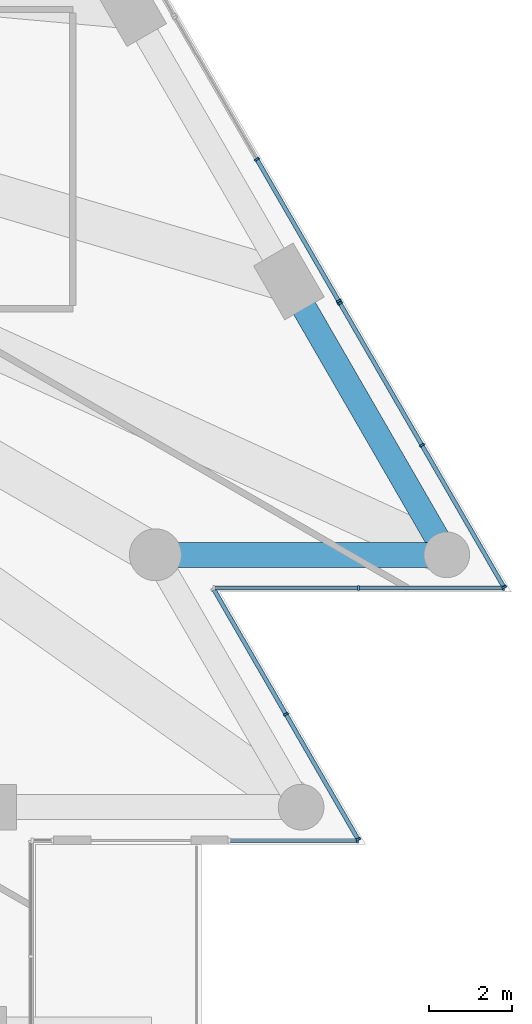
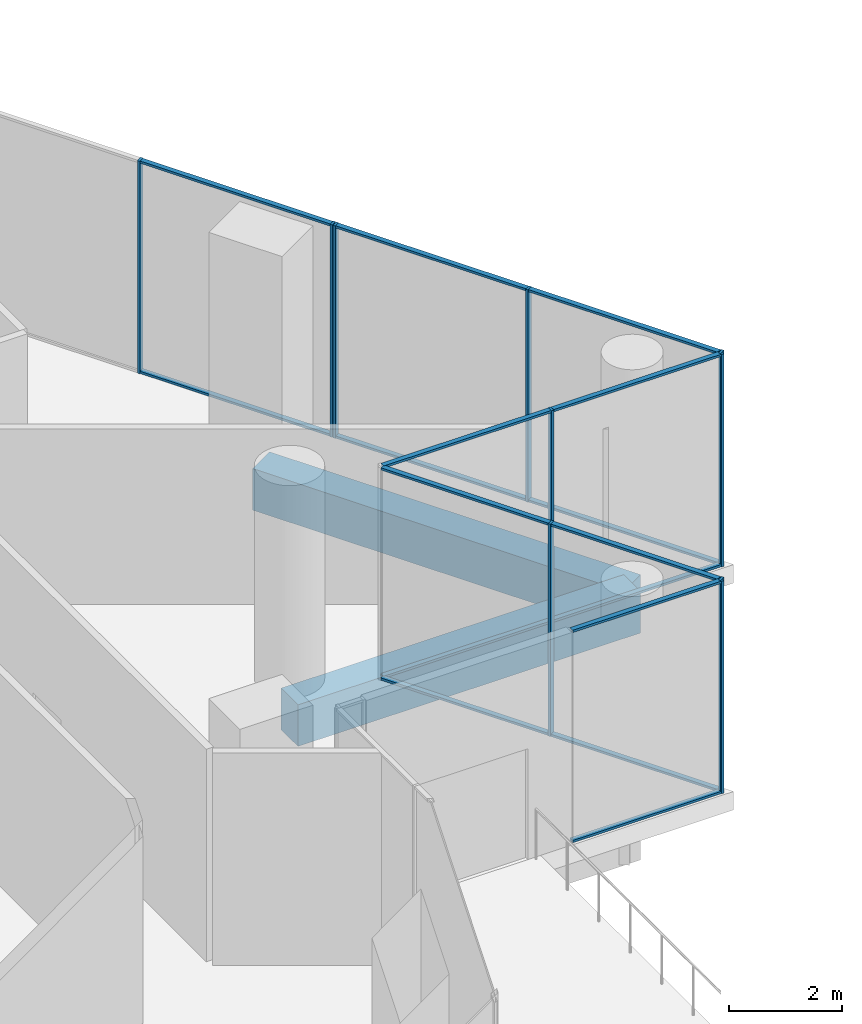
# One storey, part 18 of 32: 26 members, 2 beams, 5 elements without a shape of their own.
"""IFC4 building model written with IfcOpenShell, lengths in metres."""

from ifc_helpers import new_model, si_unit, direction, frame, origin, origin_2d, place, context, subcontext, project, spatial, rectangle, extrude, material, layer, layer_set, material_profile, profile_set, type_object, element, aggregate, save


model = new_model("IFC4")

# Units and contexts
model_context = context("Model", 3, precision=1e-05, world=origin(), true_north=direction((0.0, 1.0)))
body_context = subcontext(model_context, "Body", "Model", "MODEL_VIEW")
ifc_project = project(units=[si_unit("LENGTHUNIT", "METRE"), si_unit("AREAUNIT", "SQUARE_METRE"), si_unit("VOLUMEUNIT", "CUBIC_METRE"), si_unit("PLANEANGLEUNIT", "RADIAN"), si_unit("MASSUNIT", "GRAM", prefix="KILO")], contexts=[model_context])

# Site, building, storey
site_placement = place(None, origin())
site = spatial("IfcSite", under=ifc_project, at=site_placement, CompositionType="ELEMENT")
building_placement = place(site_placement, origin())
building = spatial("IfcBuilding", under=site, at=building_placement, Name="Triada Interchange Tower", CompositionType="ELEMENT")
storey_placement = place(building_placement, frame((0.0, 0.0, 25.300048828125)))
storey = spatial("IfcBuildingStorey", under=building, at=storey_placement, Name="L04", CompositionType="ELEMENT", Elevation=25.300048828125)

# Curtain wall, member
ifc_material_1 = material(Name="Aluminium framed glazing", Category="aluminium")
ifc_layer = layer(ifc_material_1, 0.199951171875)
ifc_layer_set = layer_set([ifc_layer], Name="Curtain wall Winter garden glazing")
curtain_wall_type = type_object("IfcCurtainWallType", Name="Curtain wall Winter garden glazing", PredefinedType="NOTDEFINED", material=ifc_layer_set)
curtain_wall_1_placement = place(storey_placement, origin())
curtain_wall_1 = element("IfcCurtainWall", 1, at=curtain_wall_1_placement, inside=storey, type_object=curtain_wall_type, Name="Winter garden glazing CW009 L04", PredefinedType="NOTDEFINED")
ifc_material_2 = material(Name="Aluminium", Category="aluminium")
ifc_material_profile_1 = material_profile(ifc_material_2, rectangle(XDim=0.1201171875, YDim=0.050048828125, at=origin_2d()), Name="Aluminium mullion")
ifc_profile_set_1 = profile_set([ifc_material_profile_1], Name="Aluminium")
member_type_1 = type_object("IfcMemberType", Name="Mullion Winter garden glazing 120x50", PredefinedType="MULLION", material=ifc_profile_set_1)
member_1_placement = place(storey_placement, frame((31.758056640625, -22.39990234375, 0.0), z_axis=(0.0, 0.0, 1.0), x_axis=(0.0, 1.0, 0.0)))
member_1 = element("IfcMember", 2, at=member_1_placement, type_object=member_type_1, Name="CW009 mullion 2", PredefinedType="MULLION", context=body_context, shape_type="SweptSolid", body=[
    extrude(rectangle(XDim=0.1201171875, YDim=0.050048828125, at=origin_2d()), origin(), (0.0, 0.0, 1.0), 4.599853515625),
])

# Curtain wall, members
curtain_wall_2_placement = place(storey_placement, origin())
curtain_wall_2 = element("IfcCurtainWall", 3, at=curtain_wall_2_placement, inside=storey, type_object=curtain_wall_type, Name="Winter garden glazing CW010 L04", PredefinedType="NOTDEFINED")
member_2_placement = place(storey_placement, frame((31.7705078125, -22.37841796875, 0.0), z_axis=(0.0, 0.0, 1.0), x_axis=(-0.866050272896, -0.499956922962, 0.0)))
member_2 = element("IfcMember", 4, at=member_2_placement, type_object=member_type_1, Name="CW010 mullion 1", PredefinedType="MULLION", context=body_context, shape_type="SweptSolid", body=[
    extrude(rectangle(XDim=0.1201171875, YDim=0.050048828125, at=origin_2d()), origin(), (0.0, 0.0, 1.0), 4.599853515625),
])
member_3_placement = place(storey_placement, frame((30.029541015625, -19.362548828125, 0.0), z_axis=(0.0, 0.0, 1.0), x_axis=(-0.866050272896, -0.499956922962, 0.0)))
member_3 = element("IfcMember", 5, at=member_3_placement, type_object=member_type_1, Name="CW010 mullion 2", PredefinedType="MULLION", context=body_context, shape_type="SweptSolid", body=[
    extrude(rectangle(XDim=0.1201171875, YDim=0.050048828125, at=origin_2d()), origin(), (0.0, 0.0, 1.0), 4.599853515625),
])

curtain_wall_3_placement = place(storey_placement, origin())
curtain_wall_3 = element("IfcCurtainWall", 6, at=curtain_wall_3_placement, inside=storey, type_object=curtain_wall_type, Name="Winter garden glazing CW011 L04", PredefinedType="NOTDEFINED")
member_4_placement = place(storey_placement, frame((31.783447265625, -16.324951171875, 0.0), z_axis=(0.0, 0.0, 1.0), x_axis=(0.0, 1.0, 0.0)))
member_4 = element("IfcMember", 7, at=member_4_placement, type_object=member_type_1, Name="CW011 mullion 2", PredefinedType="MULLION", context=body_context, shape_type="SweptSolid", body=[
    extrude(rectangle(XDim=0.1201171875, YDim=0.050048828125, at=origin_2d()), origin(), (0.0, 0.0, 1.0), 4.599853515625),
])
member_5_placement = place(storey_placement, frame((35.26611328125, -16.324951171875, 0.0), z_axis=(0.0, 0.0, 1.0), x_axis=(0.0, 1.0, 0.0)))
member_5 = element("IfcMember", 8, at=member_5_placement, type_object=member_type_1, Name="CW011 mullion 3", PredefinedType="MULLION", context=body_context, shape_type="SweptSolid", body=[
    extrude(rectangle(XDim=0.1201171875, YDim=0.050048828125, at=origin_2d()), origin(), (0.0, 0.0, 1.0), 4.599853515625),
])

curtain_wall_4_placement = place(storey_placement, origin())
curtain_wall_4 = element("IfcCurtainWall", 9, at=curtain_wall_4_placement, inside=storey, type_object=curtain_wall_type, Name="Winter garden glazing CW012 L04", PredefinedType="NOTDEFINED")
member_6_placement = place(storey_placement, frame((35.278564453125, -16.303466796875, 0.0), z_axis=(0.0, 0.0, 1.0), x_axis=(-0.86604927658, -0.499958648825, 0.0)))
member_6 = element("IfcMember", 10, at=member_6_placement, type_object=member_type_1, Name="CW012 mullion 1", PredefinedType="MULLION", context=body_context, shape_type="SweptSolid", body=[
    extrude(rectangle(XDim=0.1201171875, YDim=0.050048828125, at=origin_2d()), origin(), (0.0, 0.0, 1.0), 4.599853515625),
])
member_7_placement = place(storey_placement, frame((33.305908203125, -12.886474609375, 0.0), z_axis=(0.0, 0.0, 1.0), x_axis=(-0.86604927658, -0.499958648825, 0.0)))
member_7 = element("IfcMember", 11, at=member_7_placement, type_object=member_type_1, Name="CW012 mullion 2", PredefinedType="MULLION", context=body_context, shape_type="SweptSolid", body=[
    extrude(rectangle(XDim=0.1201171875, YDim=0.050048828125, at=origin_2d()), origin(), (0.0, 0.0, 1.0), 4.599853515625),
])
member_8_placement = place(storey_placement, frame((31.33349609375, -9.4697265625, 0.0), z_axis=(0.0, 0.0, 1.0), x_axis=(-0.86604927658, -0.499958648825, 0.0)))
member_8 = element("IfcMember", 12, at=member_8_placement, type_object=member_type_1, Name="CW012 mullion 3", PredefinedType="MULLION", context=body_context, shape_type="SweptSolid", body=[
    extrude(rectangle(XDim=0.1201171875, YDim=0.050048828125, at=origin_2d()), origin(), (0.0, 0.0, 1.0), 4.599853515625),
])

curtain_wall_5_placement = place(storey_placement, origin())
curtain_wall_5 = element("IfcCurtainWall", 13, at=curtain_wall_5_placement, inside=storey, type_object=curtain_wall_type, Name="Winter garden glazing CW013 L04", PredefinedType="NOTDEFINED")
member_9_placement = place(storey_placement, frame((31.302490234375, -9.417236328125, 0.0), z_axis=(0.0, 0.0, 1.0), x_axis=(-0.866055473648, -0.499947913852, 0.0)))
member_9 = element("IfcMember", 14, at=member_9_placement, type_object=member_type_1, Name="CW013 mullion 1", PredefinedType="MULLION", context=body_context, shape_type="SweptSolid", body=[
    extrude(rectangle(XDim=0.1201171875, YDim=0.050048828125, at=origin_2d()), origin(), (0.0, 0.0, 1.0), 4.599853515625),
])
member_10_placement = place(storey_placement, frame((29.33154296875, -6.0029296875, 0.0), z_axis=(0.0, 0.0, 1.0), x_axis=(-0.866055473648, -0.499947913852, 0.0)))
member_10 = element("IfcMember", 15, at=member_10_placement, type_object=member_type_1, Name="CW013 mullion 2", PredefinedType="MULLION", context=body_context, shape_type="SweptSolid", body=[
    extrude(rectangle(XDim=0.1201171875, YDim=0.050048828125, at=origin_2d()), origin(), (0.0, 0.0, 1.0), 4.599853515625),
])

# Beams
ifc_material_3 = material(Name="Concrete C50/60", Category="concrete")
ifc_material_profile_2 = material_profile(ifc_material_3, rectangle(XDim=0.60009765625, YDim=0.89990234375, at=origin_2d()), Name="RC 600x900")
ifc_profile_set_2 = profile_set([ifc_material_profile_2], Name="Concrete C50/60")
beam_type = type_object("IfcBeamType", Name="Spandrel beam P RC 600x900", PredefinedType="BEAM", material=ifc_profile_set_2)
beam_1_placement = place(storey_placement, frame((26.889892578125, -15.52490234375, -0.85009765625), z_axis=(1.0, 0.0, 0.0), x_axis=(0.0, 1.0, 0.0)))
element("IfcBeam", 16, at=beam_1_placement, inside=storey, type_object=beam_type, Name="Spandrel beam EP20 L04", PredefinedType="BEAM", context=body_context, shape_type="SweptSolid", body=[
    extrude(rectangle(XDim=0.60009765625, YDim=0.89990234375, at=origin_2d()), origin(), (0.0, 0.0, 1.0), 7.01513671875),
])
beam_2_placement = place(storey_placement, frame((33.905029296875, -15.52490234375, -0.85009765625), z_axis=(-0.500060803479, 0.865990296034, 0.0), x_axis=(-0.865990296034, -0.500060803479, 0.0)))
element("IfcBeam", 17, at=beam_2_placement, inside=storey, type_object=beam_type, Name="Spandrel beam EP21 L04", PredefinedType="BEAM", context=body_context, shape_type="SweptSolid", body=[
    extrude(rectangle(XDim=0.60009765625, YDim=0.89990234375, at=origin_2d()), origin(), (0.0, 0.0, 1.0), 7.59912109375),
])

# Member
ifc_material_profile_3 = material_profile(ifc_material_2, rectangle(XDim=0.10009765625, YDim=0.050048828125, at=origin_2d()), Name="Aluminium transom")
ifc_profile_set_3 = profile_set([ifc_material_profile_3], Name="Aluminium")
member_type_2 = type_object("IfcMemberType", Name="Transom Winter garden glazing 100x50", PredefinedType="USERDEFINED", material=ifc_profile_set_3)
member_11_placement = place(storey_placement, frame((28.69189453125, -22.39990234375, 0.02490234375), z_axis=(1.0, 0.0, 0.0), x_axis=(0.0, 1.0, 0.0)))
member_11 = element("IfcMember", 18, at=member_11_placement, type_object=member_type_2, Name="CW009 transom 1.1", ObjectType="TRANSOM", PredefinedType="USERDEFINED", context=body_context, shape_type="SweptSolid", body=[
    extrude(rectangle(XDim=0.10009765625, YDim=0.050048828125, at=origin_2d()), origin(), (0.0, 0.0, 1.0), 3.041015625),
])

member_12_placement = place(storey_placement, frame((28.69189453125, -22.39990234375, 4.574951171875), z_axis=(1.0, 0.0, 0.0), x_axis=(0.0, 1.0, 0.0)))
member_12 = element("IfcMember", 19, at=member_12_placement, type_object=member_type_2, Name="CW009 transom 1.2", ObjectType="TRANSOM", PredefinedType="USERDEFINED", context=body_context, shape_type="SweptSolid", body=[
    extrude(rectangle(XDim=0.10009765625, YDim=0.050048828125, at=origin_2d()), origin(), (0.0, 0.0, 1.0), 3.041015625),
])

aggregate(curtain_wall_1, [member_1, member_11, member_12])

member_13_placement = place(storey_placement, frame((31.758056640625, -22.356689453125, 0.02490234375), z_axis=(-0.499956422411, 0.866050561855, 0.0), x_axis=(-0.866050561855, -0.499956422411, 0.0)))
member_13 = element("IfcMember", 20, at=member_13_placement, type_object=member_type_2, Name="CW010 transom 1.1", ObjectType="TRANSOM", PredefinedType="USERDEFINED", context=body_context, shape_type="SweptSolid", body=[
    extrude(rectangle(XDim=0.10009765625, YDim=0.050048828125, at=origin_2d()), origin(), (0.0, 0.0, 1.0), 3.432373046875),
])

member_14_placement = place(storey_placement, frame((31.758056640625, -22.356689453125, 4.574951171875), z_axis=(-0.499956422411, 0.866050561855, 0.0), x_axis=(-0.866050561855, -0.499956422411, 0.0)))
member_14 = element("IfcMember", 21, at=member_14_placement, type_object=member_type_2, Name="CW010 transom 1.2", ObjectType="TRANSOM", PredefinedType="USERDEFINED", context=body_context, shape_type="SweptSolid", body=[
    extrude(rectangle(XDim=0.10009765625, YDim=0.050048828125, at=origin_2d()), origin(), (0.0, 0.0, 1.0), 3.432373046875),
])

member_15_placement = place(storey_placement, frame((30.01708984375, -19.3408203125, 0.02490234375), z_axis=(-0.499987221389, 0.866032781393, 0.0), x_axis=(-0.866032781393, -0.499987221389, 0.0)))
member_15 = element("IfcMember", 22, at=member_15_placement, type_object=member_type_2, Name="CW010 transom 2.1", ObjectType="TRANSOM", PredefinedType="USERDEFINED", context=body_context, shape_type="SweptSolid", body=[
    extrude(rectangle(XDim=0.10009765625, YDim=0.050048828125, at=origin_2d()), origin(), (0.0, 0.0, 1.0), 3.43212890625),
])

member_16_placement = place(storey_placement, frame((30.01708984375, -19.3408203125, 4.574951171875), z_axis=(-0.499987221389, 0.866032781393, 0.0), x_axis=(-0.866032781393, -0.499987221389, 0.0)))
member_16 = element("IfcMember", 23, at=member_16_placement, type_object=member_type_2, Name="CW010 transom 2.2", ObjectType="TRANSOM", PredefinedType="USERDEFINED", context=body_context, shape_type="SweptSolid", body=[
    extrude(rectangle(XDim=0.10009765625, YDim=0.050048828125, at=origin_2d()), origin(), (0.0, 0.0, 1.0), 3.43212890625),
])

aggregate(curtain_wall_2, [member_2, member_3, member_13, member_14, member_15, member_16])

member_17_placement = place(storey_placement, frame((28.325927734375, -16.324951171875, 0.02490234375), z_axis=(1.0, 0.0, 0.0), x_axis=(0.0, 1.0, 0.0)))
member_17 = element("IfcMember", 24, at=member_17_placement, type_object=member_type_2, Name="CW011 transom 1.1", ObjectType="TRANSOM", PredefinedType="USERDEFINED", context=body_context, shape_type="SweptSolid", body=[
    extrude(rectangle(XDim=0.10009765625, YDim=0.050048828125, at=origin_2d()), origin(), (0.0, 0.0, 1.0), 3.4326171875),
])

member_18_placement = place(storey_placement, frame((28.325927734375, -16.324951171875, 4.574951171875), z_axis=(1.0, 0.0, 0.0), x_axis=(0.0, 1.0, 0.0)))
member_18 = element("IfcMember", 25, at=member_18_placement, type_object=member_type_2, Name="CW011 transom 1.2", ObjectType="TRANSOM", PredefinedType="USERDEFINED", context=body_context, shape_type="SweptSolid", body=[
    extrude(rectangle(XDim=0.10009765625, YDim=0.050048828125, at=origin_2d()), origin(), (0.0, 0.0, 1.0), 3.4326171875),
])

member_19_placement = place(storey_placement, frame((31.80859375, -16.324951171875, 0.02490234375), z_axis=(1.0, 0.0, 0.0), x_axis=(0.0, 1.0, 0.0)))
member_19 = element("IfcMember", 26, at=member_19_placement, type_object=member_type_2, Name="CW011 transom 2.1", ObjectType="TRANSOM", PredefinedType="USERDEFINED", context=body_context, shape_type="SweptSolid", body=[
    extrude(rectangle(XDim=0.10009765625, YDim=0.050048828125, at=origin_2d()), origin(), (0.0, 0.0, 1.0), 3.432373046875),
])

member_20_placement = place(storey_placement, frame((31.80859375, -16.324951171875, 4.574951171875), z_axis=(1.0, 0.0, 0.0), x_axis=(0.0, 1.0, 0.0)))
member_20 = element("IfcMember", 27, at=member_20_placement, type_object=member_type_2, Name="CW011 transom 2.2", ObjectType="TRANSOM", PredefinedType="USERDEFINED", context=body_context, shape_type="SweptSolid", body=[
    extrude(rectangle(XDim=0.10009765625, YDim=0.050048828125, at=origin_2d()), origin(), (0.0, 0.0, 1.0), 3.432373046875),
])

aggregate(curtain_wall_3, [member_4, member_5, member_17, member_18, member_19, member_20])

member_21_placement = place(storey_placement, frame((35.26611328125, -16.28173828125, 0.02490234375), z_axis=(-0.499961171201, 0.866047820441, 0.0), x_axis=(-0.866047820441, -0.499961171201, 0.0)))
member_21 = element("IfcMember", 28, at=member_21_placement, type_object=member_type_2, Name="CW012 transom 1.1", ObjectType="TRANSOM", PredefinedType="USERDEFINED", context=body_context, shape_type="SweptSolid", body=[
    extrude(rectangle(XDim=0.10009765625, YDim=0.050048828125, at=origin_2d()), origin(), (0.0, 0.0, 1.0), 3.895263671875),
])

member_22_placement = place(storey_placement, frame((35.26611328125, -16.28173828125, 4.574951171875), z_axis=(-0.499961171201, 0.866047820441, 0.0), x_axis=(-0.866047820441, -0.499961171201, 0.0)))
member_22 = element("IfcMember", 29, at=member_22_placement, type_object=member_type_2, Name="CW012 transom 1.2", ObjectType="TRANSOM", PredefinedType="USERDEFINED", context=body_context, shape_type="SweptSolid", body=[
    extrude(rectangle(XDim=0.10009765625, YDim=0.050048828125, at=origin_2d()), origin(), (0.0, 0.0, 1.0), 3.895263671875),
])

member_23_placement = place(storey_placement, frame((33.29345703125, -12.86474609375, 0.02490234375), z_axis=(-0.499961171201, 0.866047820441, 0.0), x_axis=(-0.866047820441, -0.499961171201, 0.0)))
member_23 = element("IfcMember", 30, at=member_23_placement, type_object=member_type_2, Name="CW012 transom 2.1", ObjectType="TRANSOM", PredefinedType="USERDEFINED", context=body_context, shape_type="SweptSolid", body=[
    extrude(rectangle(XDim=0.10009765625, YDim=0.050048828125, at=origin_2d()), origin(), (0.0, 0.0, 1.0), 3.895263671875),
])

member_24_placement = place(storey_placement, frame((33.29345703125, -12.86474609375, 4.574951171875), z_axis=(-0.499961171201, 0.866047820441, 0.0), x_axis=(-0.866047820441, -0.499961171201, 0.0)))
member_24 = element("IfcMember", 31, at=member_24_placement, type_object=member_type_2, Name="CW012 transom 2.2", ObjectType="TRANSOM", PredefinedType="USERDEFINED", context=body_context, shape_type="SweptSolid", body=[
    extrude(rectangle(XDim=0.10009765625, YDim=0.050048828125, at=origin_2d()), origin(), (0.0, 0.0, 1.0), 3.895263671875),
])

aggregate(curtain_wall_4, [member_6, member_7, member_8, member_21, member_22, member_23, member_24])

member_25_placement = place(storey_placement, frame((31.2900390625, -9.395751953125, 0.02490234375), z_axis=(-0.499950487857, 0.866053987747, 0.0), x_axis=(-0.866053987747, -0.499950487857, 0.0)))
member_25 = element("IfcMember", 32, at=member_25_placement, type_object=member_type_2, Name="CW013 transom 1.1", ObjectType="TRANSOM", PredefinedType="USERDEFINED", context=body_context, shape_type="SweptSolid", body=[
    extrude(rectangle(XDim=0.10009765625, YDim=0.050048828125, at=origin_2d()), origin(), (0.0, 0.0, 1.0), 3.892578125),
])

member_26_placement = place(storey_placement, frame((31.2900390625, -9.395751953125, 4.574951171875), z_axis=(-0.499950487857, 0.866053987747, 0.0), x_axis=(-0.866053987747, -0.499950487857, 0.0)))
member_26 = element("IfcMember", 33, at=member_26_placement, type_object=member_type_2, Name="CW013 transom 1.2", ObjectType="TRANSOM", PredefinedType="USERDEFINED", context=body_context, shape_type="SweptSolid", body=[
    extrude(rectangle(XDim=0.10009765625, YDim=0.050048828125, at=origin_2d()), origin(), (0.0, 0.0, 1.0), 3.892578125),
])

aggregate(curtain_wall_5, [member_9, member_10, member_25, member_26])

save(model, "model.ifc")
